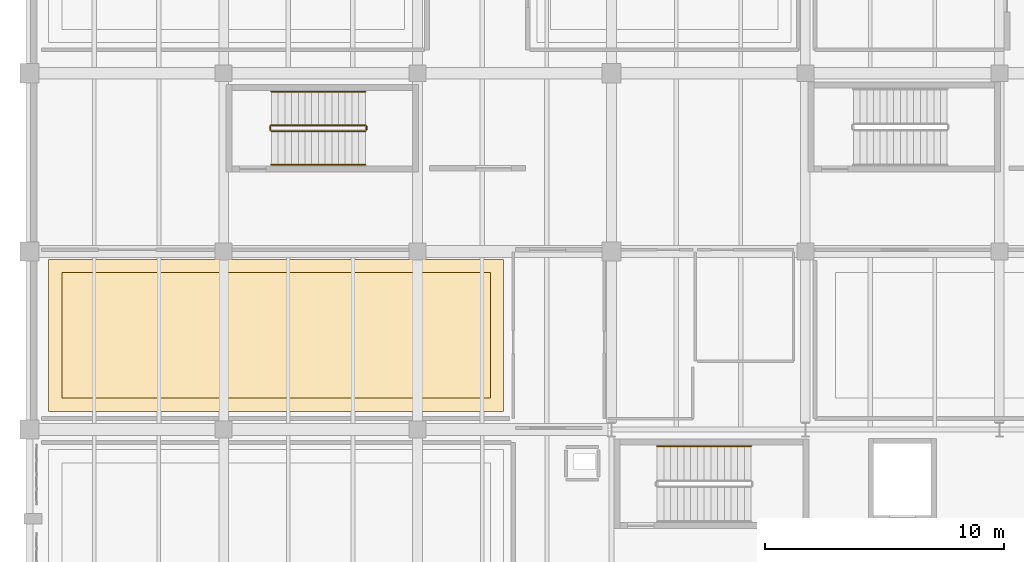
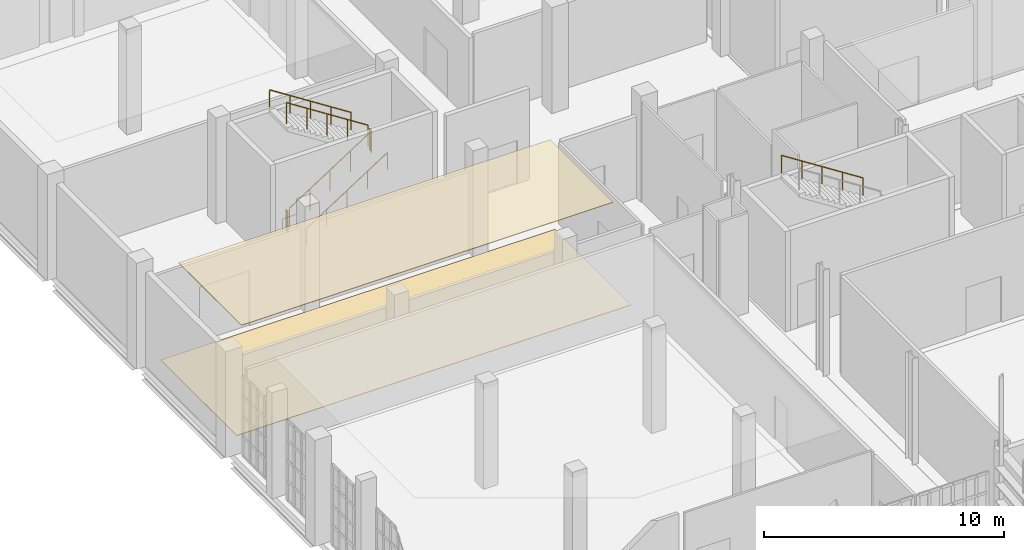
# One storey, part 364 of 372: 7 railings, 2 coverings.
"""IFC4 building model written with IfcOpenShell, lengths in metres."""

from ifc_helpers import new_model, si_unit, direction, frame, origin, origin_2d, place, context, subcontext, project, spatial, polyline, circle, outline, extrude, material, layer, layer_set, type_object, element, save


model = new_model("IFC4")

# Units and contexts
model_context = context("Model", 3, precision=1e-05, world=origin(), true_north=direction((0.0, 1.0)))
body_context = subcontext(model_context, "Body", "Model", "MODEL_VIEW")
ifc_project = project(units=[si_unit("LENGTHUNIT", "METRE"), si_unit("AREAUNIT", "SQUARE_METRE"), si_unit("VOLUMEUNIT", "CUBIC_METRE"), si_unit("PLANEANGLEUNIT", "RADIAN"), si_unit("MASSUNIT", "GRAM", prefix="KILO")], contexts=[model_context])

# Site, building, storey
site_placement = place(None, origin())
site = spatial("IfcSite", under=ifc_project, at=site_placement, CompositionType="ELEMENT")
building_placement = place(site_placement, origin())
building = spatial("IfcBuilding", under=site, at=building_placement, Name="Kaelora Sail Theatre", CompositionType="ELEMENT")
storey_placement = place(building_placement, origin())
storey = spatial("IfcBuildingStorey", under=building, at=storey_placement, Name="L00", CompositionType="ELEMENT", Elevation=0.0)

# Coverings
ifc_material_1 = material(Name="Suspended acoustic mineral-fibre ceiling", Category="gypsum")
ifc_layer_1 = layer(ifc_material_1, 0.034912109375)
ifc_layer_set_1 = layer_set([ifc_layer_1], Name="Suspended acoustic mineral-fibre ceiling")
covering_type_1 = type_object("IfcCoveringType", Name="ARC-COV-CLG-GYP-35", PredefinedType="CEILING", material=ifc_layer_set_1)
covering_1_placement = place(storey_placement, frame((0.0, 0.0, 5.0849609375)))
element("IfcCovering", 1, at=covering_1_placement, inside=storey, type_object=covering_type_1, Name="Acoustic ceiling L00-GREEN", PredefinedType="CEILING", context=body_context, shape_type="SweptSolid", body=[
    extrude(outline(polyline([(2.85009765625, 84.64990234375), (20.75, 84.64990234375), (20.75, 89.89990234375), (2.85009765625, 89.89990234375), (2.85009765625, 84.64990234375)])), origin(), (0.0, 0.0, 1.0), 0.03515625),
])
ifc_material_2 = material(Name="Sprung West African iroko stage and dance floor", Category="timber")
ifc_layer_2 = layer(ifc_material_2, 0.028076171875)
ifc_layer_set_2 = layer_set([ifc_layer_2], Name="Sprung West African iroko stage and dance floor")
covering_type_2 = type_object("IfcCoveringType", Name="ARC-COV-FLR-OAK-28", PredefinedType="FLOORING", material=ifc_layer_set_2)
covering_2_placement = place(storey_placement, origin())
element("IfcCovering", 2, at=covering_2_placement, inside=storey, type_object=covering_type_2, Name="Architectural flooring L00-GREEN", PredefinedType="FLOORING", context=body_context, shape_type="SweptSolid", body=[
    extrude(outline(polyline([(2.300048828125, 84.10009765625), (21.300048828125, 84.10009765625), (21.300048828125, 90.449951171875), (2.300048828125, 90.449951171875), (2.300048828125, 84.10009765625)])), origin(), (0.0, 0.0, 1.0), 0.028076171875),
])

# Railings
ifc_material_3 = material(Name="Painted steel and laminated safety glass guard", Category="steel")
railing_type_1 = type_object("IfcRailingType", Name="ARC-RL-GRD", PredefinedType="GUARDRAIL", material=ifc_material_3)
railing_1_placement = place(storey_placement, frame((11.60009765625, 95.800048828125, 0.179931640625)))
element("IfcRailing", 3, at=railing_1_placement, inside=storey, type_object=railing_type_1, Name="L00 ST-W1 stair guard 1", PredefinedType="GUARDRAIL", context=body_context, shape_type="SweptSolid", body=[
    extrude(circle(Radius=0.02392578125, at=origin_2d()), frame((0.0, 0.0, 1.076171875), z_axis=(0.841171666519, 0.0, 0.540768182723), x_axis=(0.0, 1.0, 0.0)), (0.0, 0.0, 1.0), 4.66015625),
    extrude(circle(Radius=0.02099609375, at=origin_2d()), origin(), (0.0, 0.0, 1.0), 1.052001953125),
    extrude(circle(Radius=0.02099609375, at=origin_2d()), frame((0.97998046875, 0.0, 0.6298828125)), (0.0, 0.0, 1.0), 1.052001953125),
    extrude(circle(Radius=0.02099609375, at=origin_2d()), frame((1.9599609375, 0.0, 1.260009765625)), (0.0, 0.0, 1.0), 1.052001953125),
    extrude(circle(Radius=0.02099609375, at=origin_2d()), frame((2.93994140625, 0.0, 1.89013671875)), (0.0, 0.0, 1.0), 1.052001953125),
    extrude(circle(Radius=0.02099609375, at=origin_2d()), frame((3.919921875, 0.0, 2.52001953125)), (0.0, 0.0, 1.0), 1.052001953125),
])
railing_2_placement = place(storey_placement, frame((15.570068359375, 95.85009765625, 2.699951171875)))
element("IfcRailing", 4, at=railing_2_placement, inside=storey, type_object=railing_type_1, Name="L00 ST-W1 stair guard 2", PredefinedType="GUARDRAIL", context=body_context, shape_type="SweptSolid", body=[
    extrude(circle(Radius=0.02392578125, at=origin_2d()), frame((0.0, 0.0, 1.076171875), z_axis=(0.0, 1.0, 0.0), x_axis=(-1.0, 0.0, 0.0)), (0.0, 0.0, 1.0), 0.14990234375),
    extrude(circle(Radius=0.02099609375, at=origin_2d()), origin(), (0.0, 0.0, 1.0), 1.052001953125),
    extrude(circle(Radius=0.02099609375, at=origin_2d()), frame((0.0, 0.14990234375, 0.0)), (0.0, 0.0, 1.0), 1.052001953125),
])
railing_3_placement = place(storey_placement, frame((15.52001953125, 96.050048828125, 2.8798828125)))
element("IfcRailing", 5, at=railing_3_placement, inside=storey, type_object=railing_type_1, Name="L00 ST-W1 stair guard 3", PredefinedType="GUARDRAIL", context=body_context, shape_type="SweptSolid", body=[
    extrude(circle(Radius=0.02392578125, at=origin_2d()), frame((0.0, 0.0, 1.076171875), z_axis=(-0.841171666519, 0.0, 0.540768182723), x_axis=(0.0, -1.0, 0.0)), (0.0, 0.0, 1.0), 4.66015625),
    extrude(circle(Radius=0.02099609375, at=origin_2d()), origin(), (0.0, 0.0, 1.0), 1.052001953125),
    extrude(circle(Radius=0.02099609375, at=origin_2d()), frame((-0.97998046875, 0.0, 0.6298828125)), (0.0, 0.0, 1.0), 1.052001953125),
    extrude(circle(Radius=0.02099609375, at=origin_2d()), frame((-1.9599609375, 0.0, 1.260009765625)), (0.0, 0.0, 1.0), 1.052001953125),
    extrude(circle(Radius=0.02099609375, at=origin_2d()), frame((-2.93994140625, 0.0, 1.89013671875)), (0.0, 0.0, 1.0), 1.052001953125),
    extrude(circle(Radius=0.02099609375, at=origin_2d()), frame((-3.919921875, 0.0, 2.52001953125)), (0.0, 0.0, 1.0), 1.052001953125),
])
railing_4_placement = place(storey_placement, frame((11.550048828125, 95.85009765625, 0.0)))
element("IfcRailing", 6, at=railing_4_placement, inside=storey, type_object=railing_type_1, Name="L00 ST-W1 stair guard 4", PredefinedType="GUARDRAIL", context=body_context, shape_type="SweptSolid", body=[
    extrude(circle(Radius=0.02392578125, at=origin_2d()), frame((0.0, 0.0, 1.076171875), z_axis=(0.0, 1.0, 0.0), x_axis=(-1.0, 0.0, 0.0)), (0.0, 0.0, 1.0), 0.14990234375),
    extrude(circle(Radius=0.02099609375, at=origin_2d()), origin(), (0.0, 0.0, 1.0), 1.052001953125),
    extrude(circle(Radius=0.02099609375, at=origin_2d()), frame((0.0, 0.14990234375, 0.0)), (0.0, 0.0, 1.0), 1.052001953125),
])
ifc_material_4 = material(Name="Brushed stainless steel 316L tubular handrail", Category="steel")
railing_type_2 = type_object("IfcRailingType", Name="ARC-RL-HND", PredefinedType="HANDRAIL", material=ifc_material_4)
railing_5_placement = place(storey_placement, frame((31.6298828125, 82.64990234375, 2.8798828125)))
element("IfcRailing", 7, at=railing_5_placement, inside=storey, type_object=railing_type_2, Name="L00 ST-K1 stair handrail 2", PredefinedType="HANDRAIL", context=body_context, shape_type="SweptSolid", body=[
    extrude(circle(Radius=0.02392578125, at=origin_2d()), frame((0.0, 0.0, 0.8759765625), z_axis=(-0.841171666519, 0.0, 0.540768182723), x_axis=(0.0, -1.0, 0.0)), (0.0, 0.0, 1.0), 4.66015625),
    extrude(circle(Radius=0.02099609375, at=origin_2d()), origin(), (0.0, 0.0, 1.0), 0.851806640625),
    extrude(circle(Radius=0.02099609375, at=origin_2d()), frame((-0.97998046875, 0.0, 0.6298828125)), (0.0, 0.0, 1.0), 0.851806640625),
    extrude(circle(Radius=0.02099609375, at=origin_2d()), frame((-1.9599609375, 0.0, 1.260009765625)), (0.0, 0.0, 1.0), 0.851806640625),
    extrude(circle(Radius=0.02099609375, at=origin_2d()), frame((-2.93994140625, 0.0, 1.89013671875)), (0.0, 0.0, 1.0), 0.851806640625),
    extrude(circle(Radius=0.02099609375, at=origin_2d()), frame((-3.919921875, 0.0, 2.52001953125)), (0.0, 0.0, 1.0), 0.851806640625),
])
railing_6_placement = place(storey_placement, frame((11.60009765625, 94.39990234375, 0.179931640625)))
element("IfcRailing", 8, at=railing_6_placement, inside=storey, type_object=railing_type_2, Name="L00 ST-W1 stair handrail 1", PredefinedType="HANDRAIL", context=body_context, shape_type="SweptSolid", body=[
    extrude(circle(Radius=0.02392578125, at=origin_2d()), frame((0.0, 0.0, 0.8759765625), z_axis=(0.841171666519, 0.0, 0.540768182723), x_axis=(0.0, 1.0, 0.0)), (0.0, 0.0, 1.0), 4.66015625),
    extrude(circle(Radius=0.02099609375, at=origin_2d()), origin(), (0.0, 0.0, 1.0), 0.851806640625),
    extrude(circle(Radius=0.02099609375, at=origin_2d()), frame((0.97998046875, 0.0, 0.6298828125)), (0.0, 0.0, 1.0), 0.851806640625),
    extrude(circle(Radius=0.02099609375, at=origin_2d()), frame((1.9599609375, 0.0, 1.260009765625)), (0.0, 0.0, 1.0), 0.851806640625),
    extrude(circle(Radius=0.02099609375, at=origin_2d()), frame((2.93994140625, 0.0, 1.89013671875)), (0.0, 0.0, 1.0), 0.851806640625),
    extrude(circle(Radius=0.02099609375, at=origin_2d()), frame((3.919921875, 0.0, 2.52001953125)), (0.0, 0.0, 1.0), 0.851806640625),
])
railing_7_placement = place(storey_placement, frame((15.52001953125, 97.449951171875, 2.8798828125)))
element("IfcRailing", 9, at=railing_7_placement, inside=storey, type_object=railing_type_2, Name="L00 ST-W1 stair handrail 2", PredefinedType="HANDRAIL", context=body_context, shape_type="SweptSolid", body=[
    extrude(circle(Radius=0.02392578125, at=origin_2d()), frame((0.0, 0.0, 0.8759765625), z_axis=(-0.841171666519, 0.0, 0.540768182723), x_axis=(0.0, -1.0, 0.0)), (0.0, 0.0, 1.0), 4.66015625),
    extrude(circle(Radius=0.02099609375, at=origin_2d()), origin(), (0.0, 0.0, 1.0), 0.851806640625),
    extrude(circle(Radius=0.02099609375, at=origin_2d()), frame((-0.97998046875, 0.0, 0.6298828125)), (0.0, 0.0, 1.0), 0.851806640625),
    extrude(circle(Radius=0.02099609375, at=origin_2d()), frame((-1.9599609375, 0.0, 1.260009765625)), (0.0, 0.0, 1.0), 0.851806640625),
    extrude(circle(Radius=0.02099609375, at=origin_2d()), frame((-2.93994140625, 0.0, 1.89013671875)), (0.0, 0.0, 1.0), 0.851806640625),
    extrude(circle(Radius=0.02099609375, at=origin_2d()), frame((-3.919921875, 0.0, 2.52001953125)), (0.0, 0.0, 1.0), 0.851806640625),
])

save(model, "model.ifc")
